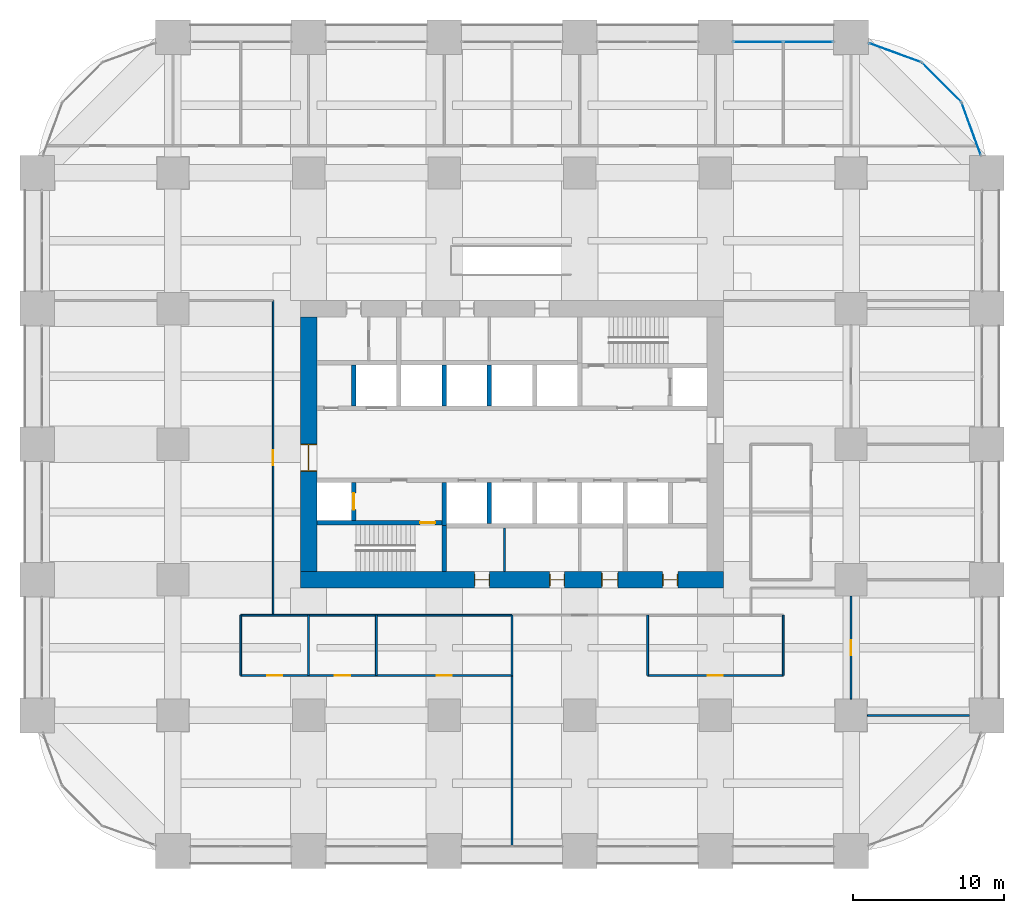
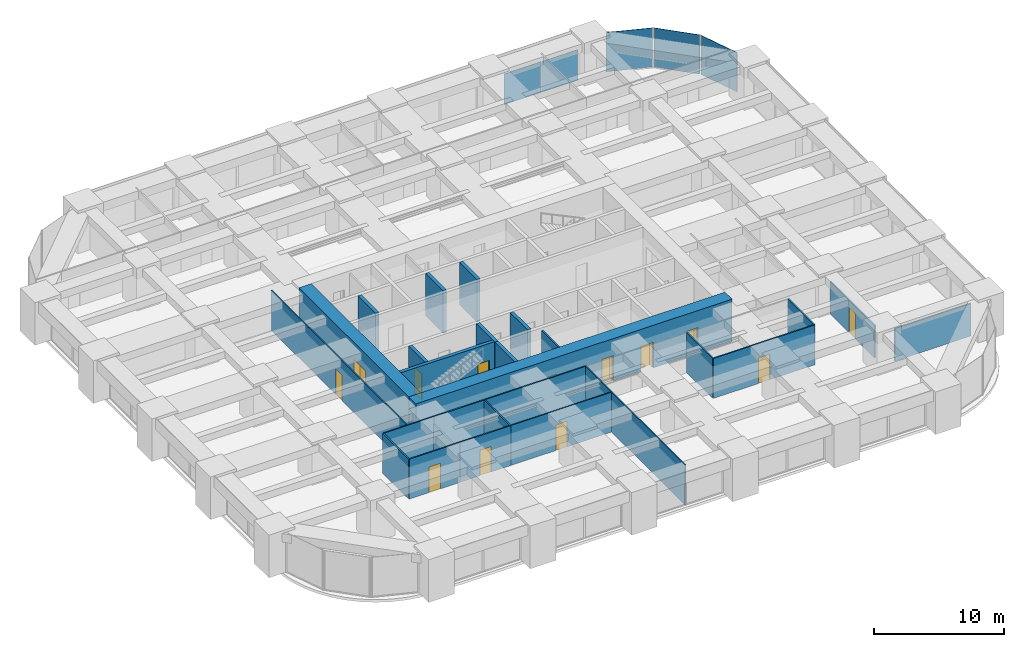
# One storey, part 39 of 44: 28 walls, 13 doors, 5 plates, 13 openings, 4 elements without a shape of their own.
"""IFC4 building model written with IfcOpenShell, lengths in metres."""

import ifcopenshell
import ifcopenshell.guid

model = None  # the IFC model being written
_history = None  # IfcOwnerHistory: only IFC2X3 demands one
_inside = {}  # id of a spatial element -> (the spatial element, [elements in it])
_under = {}  # id of a project, library or spatial element -> (it, [spatial elements below it])
_declared = {}  # id of a project -> (the project, [libraries it declares])
_typed = {}  # id of a type object -> (the type object, [elements of that type])
_made_of = {}  # id of a material, layer set ... -> (it, [elements and type objects made of it])


def new_model(schema):
    """Start an empty IFC model of exactly this schema.

    Asked for "IFC4X3", IfcOpenShell would pick the latest addendum, in which some entities
    have other attributes; the version numbers below select the first issue.
    IFC2X3 requires an IfcOwnerHistory on every rooted entity: one is made here for all.
    """
    global model, _history
    if schema == "IFC4X3":
        model = ifcopenshell.file(schema_version=(4, 3, 0, 0))
    else:
        model = ifcopenshell.file(schema=schema)
    _inside.clear()
    _under.clear()
    _declared.clear()
    _typed.clear()
    _made_of.clear()
    _history = None
    if model.schema == "IFC2X3":
        org = make("IfcOrganization", Name="unknown")
        user = make(
            "IfcPersonAndOrganization",
            ThePerson=make("IfcPerson", FamilyName="unknown"),
            TheOrganization=org,
        )
        app = make(
            "IfcApplication",
            ApplicationDeveloper=org,
            Version="unknown",
            ApplicationFullName="unknown",
            ApplicationIdentifier="unknown",
        )
        _history = make(
            "IfcOwnerHistory",
            OwningUser=user,
            OwningApplication=app,
            ChangeAction="ADDED",
            CreationDate=0,
        )
    return model


def make(cls, **values):
    """One entity of the class cls with the attributes given. An attribute that is None is left unset."""
    return model.create_entity(
        cls, **{name: value for name, value in values.items() if value is not None}
    )


def rooted(cls, **values):
    """An entity with a GlobalId (a new one), such as an element, a storey or a relation."""
    return make(cls, GlobalId=ifcopenshell.guid.new(), OwnerHistory=_history, **values)


def si_unit(unit_type, name, prefix=None):
    """IfcSIUnit, for example si_unit("LENGTHUNIT", "METRE", prefix="MILLI")."""
    return make("IfcSIUnit", UnitType=unit_type, Prefix=prefix, Name=name)


def assignment(units):
    """IfcUnitAssignment: the units of a project."""
    return None if units is None else make("IfcUnitAssignment", Units=units)


def point(xyz):
    """IfcCartesianPoint."""
    return None if xyz is None else make("IfcCartesianPoint", Coordinates=xyz)


def direction(xyz):
    """IfcDirection."""
    return None if xyz is None else make("IfcDirection", DirectionRatios=xyz)


def frame(location, z_axis=None, x_axis=None):
    """IfcAxis2Placement3D, a coordinate frame: its origin and axes. An axis left out is left unset."""
    return make(
        "IfcAxis2Placement3D",
        Location=point(location),
        Axis=direction(z_axis),
        RefDirection=direction(x_axis),
    )


def frame_2d(location, x_axis=None):
    """IfcAxis2Placement2D, a coordinate frame in the plane: its origin and x axis."""
    return make(
        "IfcAxis2Placement2D", Location=point(location), RefDirection=direction(x_axis)
    )


def origin():
    """The frame at (0, 0, 0) with its axes left unset."""
    return frame((0.0, 0.0, 0.0))


def origin_2d():
    """The frame at (0, 0) in the plane with its x axis left unset."""
    return frame_2d((0.0, 0.0))


def place(relative_to, where):
    """IfcLocalPlacement: puts the frame where relative to a parent placement (None: the world)."""
    return make(
        "IfcLocalPlacement", PlacementRelTo=relative_to, RelativePlacement=where
    )


def context(
    kind, dimensions, precision=None, world=None, true_north=None, identifier=None
):
    """IfcGeometricRepresentationContext, for example the 3D "Model" context."""
    return make(
        "IfcGeometricRepresentationContext",
        ContextIdentifier=identifier,
        ContextType=kind,
        CoordinateSpaceDimension=dimensions,
        Precision=precision,
        WorldCoordinateSystem=world,
        TrueNorth=true_north,
    )


def subcontext(parent, identifier, kind, view, scale=None):
    """IfcGeometricRepresentationSubContext, for example "Body" below "Model"."""
    return make(
        "IfcGeometricRepresentationSubContext",
        ContextIdentifier=identifier,
        ContextType=kind,
        ParentContext=parent,
        TargetScale=scale,
        TargetView=view,
    )


def project(units=None, contexts=None):
    """IfcProject with its units and contexts."""
    return rooted(
        "IfcProject",
        Name="project",
        RepresentationContexts=contexts,
        UnitsInContext=assignment(units),
    )


def spatial(cls, under=None, at=None, **own):
    """A site, building, storey or space (cls), placed at a placement, below another one or the project."""
    s = rooted(cls, ObjectPlacement=at, **own)
    if under is not None:
        _under.setdefault(under.id(), (under, []))[1].append(s)
    return s


def profile(cls, at=None, kind="AREA", **sizes):
    """A parametric profile (cls). Its sizes go by their IFC names, for example OverallWidth=200.0."""
    return make(cls, ProfileType=kind, Position=at, **sizes)


def rectangle(**sizes):
    """IfcRectangleProfileDef."""
    return profile("IfcRectangleProfileDef", **sizes)


def extrude(swept, where, along, depth):
    """IfcExtrudedAreaSolid: the profile swept, set in the frame where, extruded along a direction by depth."""
    return make(
        "IfcExtrudedAreaSolid",
        SweptArea=swept,
        Position=where,
        ExtrudedDirection=direction(along),
        Depth=depth,
    )


def shape(context_of_items, identifier, shape_type, items):
    """IfcShapeRepresentation: the items that make up one representation, for example the "Body"."""
    return make(
        "IfcShapeRepresentation",
        ContextOfItems=context_of_items,
        RepresentationIdentifier=identifier,
        RepresentationType=shape_type,
        Items=items,
    )


def material(Name=None, Category=None):
    """IfcMaterial."""
    return make("IfcMaterial", Name=Name, Category=Category)


def layer(
    of_material, thickness, ventilated=None, Name=None, Category=None, Priority=None
):
    """IfcMaterialLayer: one layer of a wall or slab, of a material (None: an air gap)."""
    return make(
        "IfcMaterialLayer",
        Material=of_material,
        LayerThickness=thickness,
        IsVentilated=ventilated,
        Name=Name,
        Category=Category,
        Priority=Priority,
    )


def layer_set(layers, Name=None):
    """IfcMaterialLayerSet."""
    return make("IfcMaterialLayerSet", MaterialLayers=layers, LayerSetName=Name)


def made_of(thing, what):
    """Note that an element or type object is made of a material, layer set ...; save() writes the relation."""
    if what is not None:
        _made_of.setdefault(what.id(), (what, []))[1].append(thing)
    return thing


def type_object(cls, material=None, **own):
    """A type object (cls), such as IfcWallType, which elements share."""
    return made_of(rooted(cls, **own), material)


def element(
    cls,
    number,
    at=None,
    inside=None,
    cuts=None,
    type_object=None,
    material=None,
    context=None,
    identifier="Body",
    shape_type=None,
    held_by="IfcProductDefinitionShape",
    body=None,
    shapes=None,
    **own,
):
    """One element of the class cls, such as IfcWall. Its Tag is "e" and its number.

    at: its placement. inside: the storey or other place that contains it. cuts: it is an
    opening in that element (IfcRelVoidsElement). A single representation is given by context,
    identifier, shape_type and body (its items); several are given by shapes. held_by: the class
    of the entity that holds the representations. save() writes the other relations.
    """
    e = rooted(cls, Tag="e%d" % number, ObjectPlacement=at, **own)
    if body is not None:
        shapes = [shape(context, identifier, shape_type, body)]
    if shapes is not None:
        e.Representation = make(held_by, Representations=shapes)
    if inside is not None:
        _inside.setdefault(inside.id(), (inside, []))[1].append(e)
    if cuts is not None:
        rooted(
            "IfcRelVoidsElement", RelatingBuildingElement=cuts, RelatedOpeningElement=e
        )
    if type_object is not None:
        _typed.setdefault(type_object.id(), (type_object, []))[1].append(e)
    return made_of(e, material)


def fill(opening, filler):
    """IfcRelFillsElement: the door or window that sits in an opening."""
    return rooted(
        "IfcRelFillsElement",
        RelatingOpeningElement=opening,
        RelatedBuildingElement=filler,
    )


def aggregate(whole, parts):
    """IfcRelAggregates: a whole, such as a stair, and the parts it consists of."""
    return rooted("IfcRelAggregates", RelatingObject=whole, RelatedObjects=parts)


def save(model, path):
    """Write the relations noted so far, then the file.

    IfcRelAggregates (storeys below a building ...), IfcRelContainedInSpatialStructure (elements
    in a storey), IfcRelDefinesByType, IfcRelAssociatesMaterial and IfcRelDeclares: one each for
    every whole, place, type object, material and project.
    """
    for whole, parts in _under.values():
        aggregate(whole, parts)
    for where, things in _inside.values():
        rooted(
            "IfcRelContainedInSpatialStructure",
            RelatedElements=things,
            RelatingStructure=where,
        )
    for kind, things in _typed.values():
        rooted("IfcRelDefinesByType", RelatedObjects=things, RelatingType=kind)
    for what, things in _made_of.values():
        rooted("IfcRelAssociatesMaterial", RelatedObjects=things, RelatingMaterial=what)
    for by, libraries in _declared.values():
        rooted("IfcRelDeclares", RelatingContext=by, RelatedDefinitions=libraries)
    model.write(path)


model = new_model("IFC4")

# Units and contexts
model_context = context("Model", 3, precision=1e-05, world=origin(), true_north=direction((0.0, 1.0)))
body_context = subcontext(model_context, "Body", "Model", "MODEL_VIEW")
ifc_project = project(units=[si_unit("LENGTHUNIT", "METRE"), si_unit("AREAUNIT", "SQUARE_METRE"), si_unit("VOLUMEUNIT", "CUBIC_METRE"), si_unit("PLANEANGLEUNIT", "RADIAN"), si_unit("MASSUNIT", "GRAM", prefix="KILO")], contexts=[model_context])

# Site, building, storey
site_placement = place(None, origin())
site = spatial("IfcSite", under=ifc_project, at=site_placement, CompositionType="ELEMENT")
building_placement = place(site_placement, origin())
building = spatial("IfcBuilding", under=site, at=building_placement, Name="Zorevar Civic Tower", CompositionType="ELEMENT")
storey_placement = place(building_placement, frame((0.0, 0.0, 63.800048828125)))
storey = spatial("IfcBuildingStorey", under=building, at=storey_placement, Name="L15", CompositionType="ELEMENT", Elevation=63.800048828125)

# Curtain wall, plates
ifc_material_1 = material(Name="Dark grey solar-control glass in black aluminium frame", Category="aluminium")
curtain_wall_type = type_object("IfcCurtainWallType", Name="Curtain wall CW2 low zone", PredefinedType="NOTDEFINED", material=ifc_material_1)
curtain_wall_1_placement = place(storey_placement, origin())
curtain_wall_1 = element("IfcCurtainWall", 1, at=curtain_wall_1_placement, inside=storey, type_object=curtain_wall_type, Name="CW2 L15", PredefinedType="NOTDEFINED")
ifc_material_2 = material(Name="Dark grey solar-control glass", Category="glass")
ifc_layer_1 = layer(ifc_material_2, 0.031982421875)
ifc_layer_set_1 = layer_set([ifc_layer_1], Name="CW2 panel 32")
plate_type = type_object("IfcPlateType", Name="CW2 panel 32", PredefinedType="CURTAIN_PANEL", material=ifc_layer_set_1)
plate_1_placement = place(storey_placement, frame((47.840087890625, 53.699951171875, 0.06005859375), z_axis=(0.0, 0.0, 1.0), x_axis=(1.0, 0.0, 0.0)))
plate_1 = element("IfcPlate", 2, at=plate_1_placement, type_object=plate_type, Name="CW2 panel 1.1", PredefinedType="CURTAIN_PANEL", context=body_context, shape_type="SweptSolid", body=[
    extrude(rectangle(XDim=3.260009765625, YDim=0.031982421875, at=origin_2d()), origin(), (0.0, 0.0, 1.0), 2.889892578125),
])
plate_2_placement = place(storey_placement, frame((51.159912109375, 53.699951171875, 0.06005859375), z_axis=(0.0, 0.0, 1.0), x_axis=(1.0, 0.0, 0.0)))
plate_2 = element("IfcPlate", 3, at=plate_2_placement, type_object=plate_type, Name="CW2 panel 2.1", PredefinedType="CURTAIN_PANEL", context=body_context, shape_type="SweptSolid", body=[
    extrude(rectangle(XDim=3.260009765625, YDim=0.031982421875, at=origin_2d()), origin(), (0.0, 0.0, 1.0), 2.889892578125),
])
aggregate(curtain_wall_1, [plate_1, plate_2])

# Curtain wall, plate
curtain_wall_2_placement = place(storey_placement, origin())
curtain_wall_2 = element("IfcCurtainWall", 4, at=curtain_wall_2_placement, inside=storey, type_object=curtain_wall_type, Name="CW2 L15", PredefinedType="NOTDEFINED")
plate_3_placement = place(storey_placement, frame((61.979248046875, 47.914306640625, 0.06005859375), z_axis=(0.0, 0.0, 1.0), x_axis=(-0.343060400701, 0.939313345732, 0.0)))
plate_3 = element("IfcPlate", 5, at=plate_3_placement, type_object=plate_type, Name="CW2 panel 1.1", PredefinedType="CURTAIN_PANEL", context=body_context, shape_type="SweptSolid", body=[
    extrude(rectangle(XDim=3.636474609375, YDim=0.031982421875, at=origin_2d()), origin(), (0.0, 0.0, 1.0), 3.68994140625),
])
aggregate(curtain_wall_2, [plate_3])

curtain_wall_3_placement = place(storey_placement, origin())
curtain_wall_3 = element("IfcCurtainWall", 6, at=curtain_wall_3_placement, inside=storey, type_object=curtain_wall_type, Name="CW2 L15", PredefinedType="NOTDEFINED")
plate_4_placement = place(storey_placement, frame((60.0068359375, 51.0068359375, 0.06005859375), z_axis=(0.0, 0.0, 1.0), x_axis=(-0.707106781187, 0.707106781187, 0.0)))
plate_4 = element("IfcPlate", 7, at=plate_4_placement, type_object=plate_type, Name="CW2 panel 1.1", PredefinedType="CURTAIN_PANEL", context=body_context, shape_type="SweptSolid", body=[
    extrude(rectangle(XDim=3.636474609375, YDim=0.031982421875, at=origin_2d()), origin(), (0.0, 0.0, 1.0), 3.68994140625),
])
aggregate(curtain_wall_3, [plate_4])

curtain_wall_4_placement = place(storey_placement, origin())
curtain_wall_4 = element("IfcCurtainWall", 8, at=curtain_wall_4_placement, inside=storey, type_object=curtain_wall_type, Name="CW2 L15", PredefinedType="NOTDEFINED")
plate_5_placement = place(storey_placement, frame((56.914306640625, 52.979248046875, 0.06005859375), z_axis=(0.0, 0.0, 1.0), x_axis=(-0.939313345732, 0.343060400701, 0.0)))
plate_5 = element("IfcPlate", 9, at=plate_5_placement, type_object=plate_type, Name="CW2 panel 1.1", PredefinedType="CURTAIN_PANEL", context=body_context, shape_type="SweptSolid", body=[
    extrude(rectangle(XDim=3.636474609375, YDim=0.031982421875, at=origin_2d()), origin(), (0.0, 0.0, 1.0), 3.68994140625),
])
aggregate(curtain_wall_4, [plate_5])

# Wall, openings, doors
ifc_material_3 = material(Name="Concrete C50/60", Category="concrete")
ifc_layer_2 = layer(ifc_material_3, 1.10009765625)
ifc_layer_set_2 = layer_set([ifc_layer_2], Name="Core wall 1100")
wall_type_1 = type_object("IfcWallType", Name="Core wall 1100", PredefinedType="SHEAR", material=ifc_layer_set_2)
wall_1_placement = place(storey_placement, frame((17.449951171875, 18.0, 0.0), z_axis=(0.0, 0.0, 1.0), x_axis=(1.0, 0.0, 0.0)))
wall_1 = element("IfcWall", 10, at=wall_1_placement, inside=storey, type_object=wall_type_1, Name="Core wall S L15", PredefinedType="SHEAR", context=body_context, shape_type="SweptSolid", body=[
    extrude(rectangle(XDim=28.10009765625, YDim=1.10009765625, at=frame_2d((14.050048828125, 0.0))), origin(), (0.0, 0.0, 1.0), 4.0),
])
opening_1_placement = place(wall_1_placement, frame((11.550048828125, 0.0, 0.0)))
opening_1 = element("IfcOpeningElement", 11, at=opening_1_placement, cuts=wall_1, Name="Opening L15.03", PredefinedType="OPENING", context=body_context, shape_type="SweptSolid", body=[
    extrude(rectangle(XDim=1.0, YDim=2.39990234375, at=frame_2d((0.5, 1.199951171875))), frame((0.0, 0.56005859375, 0.0), z_axis=(0.0, -1.0, 0.0), x_axis=(1.0, 0.0, 0.0)), (0.0, 0.0, 1.0), 1.1201171875),
])
opening_2_placement = place(wall_1_placement, frame((16.550048828125, 0.0, 0.0)))
opening_2 = element("IfcOpeningElement", 12, at=opening_2_placement, cuts=wall_1, Name="Opening L15.04", PredefinedType="OPENING", context=body_context, shape_type="SweptSolid", body=[
    extrude(rectangle(XDim=1.0, YDim=2.39990234375, at=frame_2d((0.5, 1.199951171875))), frame((0.0, 0.56005859375, 0.0), z_axis=(0.0, -1.0, 0.0), x_axis=(1.0, 0.0, 0.0)), (0.0, 0.0, 1.0), 1.1201171875),
])
opening_3_placement = place(wall_1_placement, frame((20.0, 0.0, 0.0)))
opening_3 = element("IfcOpeningElement", 13, at=opening_3_placement, cuts=wall_1, Name="Opening L15.05", PredefinedType="OPENING", context=body_context, shape_type="SweptSolid", body=[
    extrude(rectangle(XDim=1.10009765625, YDim=2.39990234375, at=frame_2d((0.550048828125, 1.199951171875))), frame((0.0, 0.56005859375, 0.0), z_axis=(0.0, -1.0, 0.0), x_axis=(1.0, 0.0, 0.0)), (0.0, 0.0, 1.0), 1.1201171875),
])
opening_4_placement = place(wall_1_placement, frame((24.050048828125, 0.0, 0.0)))
opening_4 = element("IfcOpeningElement", 14, at=opening_4_placement, cuts=wall_1, Name="Opening L15.06", PredefinedType="OPENING", context=body_context, shape_type="SweptSolid", body=[
    extrude(rectangle(XDim=1.0, YDim=2.39990234375, at=frame_2d((0.5, 1.199951171875))), frame((0.0, 0.56005859375, 0.0), z_axis=(0.0, -1.0, 0.0), x_axis=(1.0, 0.0, 0.0)), (0.0, 0.0, 1.0), 1.1201171875),
])
ifc_material_4 = material(Name="Timber door set", Category="wood")
door_type_1 = type_object("IfcDoorType", Name="Door D1 1000x2400", OperationType="SINGLE_SWING_LEFT", PredefinedType="DOOR", material=ifc_material_4)
door_1_placement = place(opening_1_placement, origin())
door_1 = element("IfcDoor", 15, at=door_1_placement, inside=storey, type_object=door_type_1, Name="Door L15 02", OperationType="SINGLE_SWING_RIGHT", OverallHeight=2.39990234375, OverallWidth=1.0, PredefinedType="DOOR", context=body_context, shape_type="SweptSolid", body=[
    extrude(rectangle(XDim=1.0, YDim=2.39990234375, at=frame_2d((0.5, 1.199951171875))), frame((0.0, 0.02490234375, 0.0), z_axis=(0.0, -1.0, 0.0), x_axis=(1.0, 0.0, 0.0)), (0.0, 0.0, 1.0), 0.050048828125),
    extrude(rectangle(XDim=0.04, YDim=2.39990234375, at=frame_2d((0.02001953125, 1.199951171875))), frame((0.0, 0.39990234375, 0.0), z_axis=(0.0, -1.0, 0.0), x_axis=(1.0, 0.0, 0.0)), (0.0, 0.0, 1.0), 0.800048828125),
    extrude(rectangle(XDim=0.04, YDim=2.39990234375, at=frame_2d((0.97998046875, 1.199951171875))), frame((0.0, 0.39990234375, 0.0), z_axis=(0.0, -1.0, 0.0), x_axis=(1.0, 0.0, 0.0)), (0.0, 0.0, 1.0), 0.800048828125),
    extrude(rectangle(XDim=1.0, YDim=0.04, at=frame_2d((0.5, 2.3798828125))), frame((0.0, 0.39990234375, 0.0), z_axis=(0.0, -1.0, 0.0), x_axis=(1.0, 0.0, 0.0)), (0.0, 0.0, 1.0), 0.800048828125),
])
fill(opening_1, door_1)
door_2_placement = place(opening_2_placement, origin())
door_2 = element("IfcDoor", 16, at=door_2_placement, inside=storey, type_object=door_type_1, Name="Door L15 03", OperationType="SINGLE_SWING_LEFT", OverallHeight=2.39990234375, OverallWidth=1.0, PredefinedType="DOOR", context=body_context, shape_type="SweptSolid", body=[
    extrude(rectangle(XDim=1.0, YDim=2.39990234375, at=frame_2d((0.5, 1.199951171875))), frame((0.0, 0.02490234375, 0.0), z_axis=(0.0, -1.0, 0.0), x_axis=(1.0, 0.0, 0.0)), (0.0, 0.0, 1.0), 0.050048828125),
    extrude(rectangle(XDim=0.04, YDim=2.39990234375, at=frame_2d((0.02001953125, 1.199951171875))), frame((0.0, 0.39990234375, 0.0), z_axis=(0.0, -1.0, 0.0), x_axis=(1.0, 0.0, 0.0)), (0.0, 0.0, 1.0), 0.800048828125),
    extrude(rectangle(XDim=0.04, YDim=2.39990234375, at=frame_2d((0.97998046875, 1.199951171875))), frame((0.0, 0.39990234375, 0.0), z_axis=(0.0, -1.0, 0.0), x_axis=(1.0, 0.0, 0.0)), (0.0, 0.0, 1.0), 0.800048828125),
    extrude(rectangle(XDim=1.0, YDim=0.04, at=frame_2d((0.5, 2.3798828125))), frame((0.0, 0.39990234375, 0.0), z_axis=(0.0, -1.0, 0.0), x_axis=(1.0, 0.0, 0.0)), (0.0, 0.0, 1.0), 0.800048828125),
])
fill(opening_2, door_2)
door_3_placement = place(opening_4_placement, origin())
door_3 = element("IfcDoor", 17, at=door_3_placement, inside=storey, type_object=door_type_1, Name="Door L15 05", OperationType="SINGLE_SWING_LEFT", OverallHeight=2.39990234375, OverallWidth=1.0, PredefinedType="DOOR", context=body_context, shape_type="SweptSolid", body=[
    extrude(rectangle(XDim=1.0, YDim=2.39990234375, at=frame_2d((0.5, 1.199951171875))), frame((0.0, 0.02490234375, 0.0), z_axis=(0.0, -1.0, 0.0), x_axis=(1.0, 0.0, 0.0)), (0.0, 0.0, 1.0), 0.050048828125),
    extrude(rectangle(XDim=0.04, YDim=2.39990234375, at=frame_2d((0.02001953125, 1.199951171875))), frame((0.0, 0.39990234375, 0.0), z_axis=(0.0, -1.0, 0.0), x_axis=(1.0, 0.0, 0.0)), (0.0, 0.0, 1.0), 0.800048828125),
    extrude(rectangle(XDim=0.04, YDim=2.39990234375, at=frame_2d((0.97998046875, 1.199951171875))), frame((0.0, 0.39990234375, 0.0), z_axis=(0.0, -1.0, 0.0), x_axis=(1.0, 0.0, 0.0)), (0.0, 0.0, 1.0), 0.800048828125),
    extrude(rectangle(XDim=1.0, YDim=0.04, at=frame_2d((0.5, 2.3798828125))), frame((0.0, 0.39990234375, 0.0), z_axis=(0.0, -1.0, 0.0), x_axis=(1.0, 0.0, 0.0)), (0.0, 0.0, 1.0), 0.800048828125),
])
fill(opening_4, door_3)
ifc_material_5 = material(Name="Timber door set", Category="wood")
door_type_2 = type_object("IfcDoorType", Name="Door D5 1100x2400", OperationType="SINGLE_SWING_LEFT", PredefinedType="DOOR", material=ifc_material_5)
door_4_placement = place(opening_3_placement, origin())
door_4 = element("IfcDoor", 18, at=door_4_placement, inside=storey, type_object=door_type_2, Name="Door L15 04", OperationType="SINGLE_SWING_LEFT", OverallHeight=2.39990234375, OverallWidth=1.10009765625, PredefinedType="DOOR", context=body_context, shape_type="SweptSolid", body=[
    extrude(rectangle(XDim=1.10009765625, YDim=2.39990234375, at=frame_2d((0.550048828125, 1.199951171875))), frame((0.0, 0.02490234375, 0.0), z_axis=(0.0, -1.0, 0.0), x_axis=(1.0, 0.0, 0.0)), (0.0, 0.0, 1.0), 0.050048828125),
    extrude(rectangle(XDim=0.04, YDim=2.39990234375, at=frame_2d((0.02001953125, 1.199951171875))), frame((0.0, 0.43994140625, 0.0), z_axis=(0.0, -1.0, 0.0), x_axis=(1.0, 0.0, 0.0)), (0.0, 0.0, 1.0), 0.880126953125),
    extrude(rectangle(XDim=0.04, YDim=2.39990234375, at=frame_2d((1.080078125, 1.199951171875))), frame((0.0, 0.43994140625, 0.0), z_axis=(0.0, -1.0, 0.0), x_axis=(1.0, 0.0, 0.0)), (0.0, 0.0, 1.0), 0.880126953125),
    extrude(rectangle(XDim=1.10009765625, YDim=0.04, at=frame_2d((0.550048828125, 2.3798828125))), frame((0.0, 0.43994140625, 0.0), z_axis=(0.0, -1.0, 0.0), x_axis=(1.0, 0.0, 0.0)), (0.0, 0.0, 1.0), 0.880126953125),
])
fill(opening_3, door_4)

# Wall, opening, door
wall_2_placement = place(storey_placement, frame((18.0, 35.449951171875, 0.0), z_axis=(0.0, 0.0, 1.0), x_axis=(0.0, -1.0, 0.0)))
wall_2 = element("IfcWall", 19, at=wall_2_placement, inside=storey, type_object=wall_type_1, Name="Core wall W L15", PredefinedType="SHEAR", context=body_context, shape_type="SweptSolid", body=[
    extrude(rectangle(XDim=16.89990234375, YDim=1.10009765625, at=frame_2d((8.449951171875, 0.0))), origin(), (0.0, 0.0, 1.0), 4.0),
])
opening_5_placement = place(wall_2_placement, frame((8.449951171875, 0.0, 0.0)))
opening_5 = element("IfcOpeningElement", 20, at=opening_5_placement, cuts=wall_2, Name="Opening L15.01", PredefinedType="OPENING", context=body_context, shape_type="SweptSolid", body=[
    extrude(rectangle(XDim=1.800048828125, YDim=2.39990234375, at=frame_2d((0.89990234375, 1.199951171875))), frame((0.0, 0.56005859375, 0.0), z_axis=(0.0, -1.0, 0.0), x_axis=(1.0, 0.0, 0.0)), (0.0, 0.0, 1.0), 1.1201171875),
])
ifc_material_6 = material(Name="Steel door set", Category="steel")
door_type_3 = type_object("IfcDoorType", Name="Fire door FD2 1800x2400", OperationType="DOUBLE_DOOR_DOUBLE_SWING", PredefinedType="DOOR", material=ifc_material_6)
door_5_placement = place(opening_5_placement, origin())
door_5 = element("IfcDoor", 21, at=door_5_placement, inside=storey, type_object=door_type_3, Name="Door L15 00", OperationType="DOUBLE_DOOR_DOUBLE_SWING", OverallHeight=2.39990234375, OverallWidth=1.800048828125, PredefinedType="DOOR", context=body_context, shape_type="SweptSolid", body=[
    extrude(rectangle(XDim=1.800048828125, YDim=2.39990234375, at=frame_2d((0.89990234375, 1.199951171875))), frame((0.0, 0.030029296875, 0.0), z_axis=(0.0, -1.0, 0.0), x_axis=(1.0, 0.0, 0.0)), (0.0, 0.0, 1.0), 0.06005859375),
    extrude(rectangle(XDim=0.04, YDim=2.39990234375, at=frame_2d((0.02001953125, 1.199951171875))), frame((0.0, 0.5498046875, 0.0), z_axis=(0.0, -1.0, 0.0), x_axis=(1.0, 0.0, 0.0)), (0.0, 0.0, 1.0), 1.099609375),
    extrude(rectangle(XDim=0.04, YDim=2.39990234375, at=frame_2d((1.780029296875, 1.199951171875))), frame((0.0, 0.5498046875, 0.0), z_axis=(0.0, -1.0, 0.0), x_axis=(1.0, 0.0, 0.0)), (0.0, 0.0, 1.0), 1.099609375),
    extrude(rectangle(XDim=1.800048828125, YDim=0.04, at=frame_2d((0.89990234375, 2.3798828125))), frame((0.0, 0.5498046875, 0.0), z_axis=(0.0, -1.0, 0.0), x_axis=(1.0, 0.0, 0.0)), (0.0, 0.0, 1.0), 1.099609375),
])
fill(opening_5, door_5)

ifc_material_7 = material(Name="Laminated glass in black aluminium frame", Category="aluminium")
ifc_layer_3 = layer(ifc_material_7, 0.10009765625)
ifc_layer_set_3 = layer_set([ifc_layer_3], Name="Glazed partition 100")
wall_type_2 = type_object("IfcWallType", Name="Glazed partition 100", PredefinedType="PARTITIONING", material=ifc_layer_set_3)
wall_3_placement = place(storey_placement, frame((22.5, 11.64990234375, 0.0), z_axis=(0.0, 0.0, 1.0), x_axis=(1.0, 0.0, 0.0)))
wall_3 = element("IfcWall", 22, at=wall_3_placement, inside=storey, type_object=wall_type_2, Name="Glazed partition 100 L15", PredefinedType="PARTITIONING", context=body_context, shape_type="SweptSolid", body=[
    extrude(rectangle(XDim=9.0, YDim=0.10009765625, at=frame_2d((4.5, 0.0))), origin(), (0.0, 0.0, 1.0), 3.75),
])
opening_6_placement = place(wall_3_placement, frame((4.0, 0.0, 0.0)))
opening_6 = element("IfcOpeningElement", 23, at=opening_6_placement, cuts=wall_3, Name="Opening L15.20", PredefinedType="OPENING", context=body_context, shape_type="SweptSolid", body=[
    extrude(rectangle(XDim=1.0, YDim=2.39990234375, at=frame_2d((0.5, 1.199951171875))), frame((0.0, 0.06005859375, 0.0), z_axis=(0.0, -1.0, 0.0), x_axis=(1.0, 0.0, 0.0)), (0.0, 0.0, 1.0), 0.1201171875),
])
ifc_material_8 = material(Name="Timber door set", Category="wood")
door_type_4 = type_object("IfcDoorType", Name="Glazed door GD1 1000x2400", OperationType="SINGLE_SWING_LEFT", PredefinedType="DOOR", material=ifc_material_8)
door_6_placement = place(opening_6_placement, origin())
door_6 = element("IfcDoor", 24, at=door_6_placement, inside=storey, type_object=door_type_4, Name="Door L15 D1", OperationType="SINGLE_SWING_RIGHT", OverallHeight=2.39990234375, OverallWidth=1.0, PredefinedType="DOOR", context=body_context, shape_type="SweptSolid", body=[
    extrude(rectangle(XDim=1.0, YDim=2.39990234375, at=frame_2d((0.5, 1.199951171875))), frame((0.0, 0.02001953125, 0.0), z_axis=(0.0, -1.0, 0.0), x_axis=(1.0, 0.0, 0.0)), (0.0, 0.0, 1.0), 0.0400390625),
])
fill(opening_6, door_6)

wall_4_placement = place(storey_placement, frame((15.64990234375, 15.64990234375, 0.0), z_axis=(0.0, 0.0, 1.0), x_axis=(0.0, 1.0, 0.0)))
wall_4 = element("IfcWall", 25, at=wall_4_placement, inside=storey, type_object=wall_type_2, Name="Glazed partition 100 L15", PredefinedType="PARTITIONING", context=body_context, shape_type="SweptSolid", body=[
    extrude(rectangle(XDim=20.900146484375, YDim=0.10009765625, at=frame_2d((10.4501953125, 0.0))), origin(), (0.0, 0.0, 1.0), 3.75),
])
opening_7_placement = place(wall_4_placement, frame((9.949951171875, 0.0, 0.0)))
opening_7 = element("IfcOpeningElement", 26, at=opening_7_placement, cuts=wall_4, Name="Opening L15.32", PredefinedType="OPENING", context=body_context, shape_type="SweptSolid", body=[
    extrude(rectangle(XDim=1.0, YDim=2.39990234375, at=frame_2d((0.5, 1.199951171875))), frame((0.0, 0.06005859375, 0.0), z_axis=(0.0, -1.0, 0.0), x_axis=(1.0, 0.0, 0.0)), (0.0, 0.0, 1.0), 0.1201171875),
])
door_7_placement = place(opening_7_placement, origin())
door_7 = element("IfcDoor", 27, at=door_7_placement, inside=storey, type_object=door_type_4, Name="Door L15 D1", OperationType="SINGLE_SWING_RIGHT", OverallHeight=2.39990234375, OverallWidth=1.0, PredefinedType="DOOR", context=body_context, shape_type="SweptSolid", body=[
    extrude(rectangle(XDim=1.0, YDim=2.39990234375, at=frame_2d((0.5, 1.199951171875))), frame((0.0, 0.02001953125, 0.0), z_axis=(0.0, -1.0, 0.0), x_axis=(1.0, 0.0, 0.0)), (0.0, 0.0, 1.0), 0.0400390625),
])
fill(opening_7, door_7)

# Wall
wall_5_placement = place(storey_placement, frame((31.5, 0.31005859375, 0.0), z_axis=(0.0, 0.0, 1.0), x_axis=(0.0, 1.0, 0.0)))
element("IfcWall", 28, at=wall_5_placement, inside=storey, type_object=wall_type_2, Name="Glazed partition 100 L15", PredefinedType="PARTITIONING", context=body_context, shape_type="SweptSolid", body=[
    extrude(rectangle(XDim=11.33984375, YDim=0.10009765625, at=frame_2d((5.669921875, 0.0))), origin(), (0.0, 0.0, 1.0), 3.75),
])

# Wall, opening, door
ifc_material_9 = material(Name="Concrete C40/50", Category="concrete")
ifc_layer_4 = layer(ifc_material_9, 0.300048828125)
ifc_layer_set_4 = layer_set([ifc_layer_4], Name="Inner core wall 300")
wall_type_3 = type_object("IfcWallType", Name="Inner core wall 300", PredefinedType="SHEAR", material=ifc_layer_set_4)
wall_6_placement = place(storey_placement, frame((18.550048828125, 21.800048828125, 0.0), z_axis=(0.0, 0.0, 1.0), x_axis=(1.0, 0.0, 0.0)))
wall_6 = element("IfcWall", 29, at=wall_6_placement, inside=storey, type_object=wall_type_3, Name="Inner core wall S00 L15", PredefinedType="SHEAR", context=body_context, shape_type="SweptSolid", body=[
    extrude(rectangle(XDim=8.300048828125, YDim=0.300048828125, at=frame_2d((4.14990234375, 0.0))), origin(), (0.0, 0.0, 1.0), 4.0),
])
opening_8_placement = place(wall_6_placement, frame((6.85009765625, 0.0, 0.0)))
opening_8 = element("IfcOpeningElement", 30, at=opening_8_placement, cuts=wall_6, Name="Opening L15.11", PredefinedType="OPENING", context=body_context, shape_type="SweptSolid", body=[
    extrude(rectangle(XDim=1.0, YDim=2.39990234375, at=frame_2d((0.5, 1.199951171875))), frame((0.0, 0.159912109375, 0.0), z_axis=(0.0, -1.0, 0.0), x_axis=(1.0, 0.0, 0.0)), (0.0, 0.0, 1.0), 0.320068359375),
])
ifc_material_10 = material(Name="Steel door set", Category="steel")
door_type_5 = type_object("IfcDoorType", Name="Fire door FD1 1000x2400", OperationType="SINGLE_SWING_LEFT", PredefinedType="DOOR", material=ifc_material_10)
door_8_placement = place(opening_8_placement, origin())
door_8 = element("IfcDoor", 31, at=door_8_placement, inside=storey, type_object=door_type_5, Name="Door L15 10", OperationType="SINGLE_SWING_RIGHT", OverallHeight=2.39990234375, OverallWidth=1.0, PredefinedType="DOOR", context=body_context, shape_type="SweptSolid", body=[
    extrude(rectangle(XDim=1.0, YDim=2.39990234375, at=frame_2d((0.5, 1.199951171875))), frame((0.0, 0.030029296875, 0.0), z_axis=(0.0, -1.0, 0.0), x_axis=(1.0, 0.0, 0.0)), (0.0, 0.0, 1.0), 0.06005859375),
])
fill(opening_8, door_8)

# Wall
wall_7_placement = place(storey_placement, frame((27.0, 18.550048828125, 0.0), z_axis=(0.0, 0.0, 1.0), x_axis=(0.0, 1.0, 0.0)))
element("IfcWall", 32, at=wall_7_placement, inside=storey, type_object=wall_type_3, Name="Inner core wall S01 L15", PredefinedType="SHEAR", context=body_context, shape_type="SweptSolid", body=[
    extrude(rectangle(XDim=3.050048828125, YDim=0.300048828125, at=frame_2d((1.52490234375, 0.0))), origin(), (0.0, 0.0, 1.0), 4.0),
])

# Wall, opening, door
wall_8_placement = place(storey_placement, frame((21.0, 21.949951171875, 0.0), z_axis=(0.0, 0.0, 1.0), x_axis=(0.0, 1.0, 0.0)))
wall_8 = element("IfcWall", 33, at=wall_8_placement, inside=storey, type_object=wall_type_3, Name="Inner core wall S02 L15", PredefinedType="SHEAR", context=body_context, shape_type="SweptSolid", body=[
    extrude(rectangle(XDim=2.5, YDim=0.300048828125, at=frame_2d((1.25, 0.0))), origin(), (0.0, 0.0, 1.0), 4.0),
])
opening_9_placement = place(wall_8_placement, frame((0.699951171875, 0.0, 0.0)))
opening_9 = element("IfcOpeningElement", 34, at=opening_9_placement, cuts=wall_8, Name="Opening L15.FL1", PredefinedType="OPENING", context=body_context, shape_type="SweptSolid", body=[
    extrude(rectangle(XDim=1.10009765625, YDim=2.39990234375, at=frame_2d((0.550048828125, 1.199951171875))), frame((0.0, 0.159912109375, 0.0), z_axis=(0.0, -1.0, 0.0), x_axis=(1.0, 0.0, 0.0)), (0.0, 0.0, 1.0), 0.320068359375),
])
ifc_material_11 = material(Name="Steel door set", Category="steel")
door_type_6 = type_object("IfcDoorType", Name="Firefighting lift landing door LD3 1100x2400", OperationType="DOUBLE_DOOR_SLIDING", PredefinedType="DOOR", material=ifc_material_11)
door_9_placement = place(opening_9_placement, origin())
door_9 = element("IfcDoor", 35, at=door_9_placement, inside=storey, type_object=door_type_6, Name="Landing door FL1 L15", OperationType="DOUBLE_DOOR_SLIDING", OverallHeight=2.39990234375, OverallWidth=1.10009765625, PredefinedType="DOOR", context=body_context, shape_type="SweptSolid", body=[
    extrude(rectangle(XDim=1.10009765625, YDim=2.39990234375, at=frame_2d((0.550048828125, 1.199951171875))), frame((0.0, 0.030029296875, 0.0), z_axis=(0.0, -1.0, 0.0), x_axis=(1.0, 0.0, 0.0)), (0.0, 0.0, 1.0), 0.06005859375),
])
fill(opening_9, door_9)

# Walls
for number, where, z_axis, x_axis, name in (
    (36, (30.0, 21.75, 0.0), (0.0, 0.0, 1.0), (0.0, 1.0, 0.0), "Inner core wall S05 L15"),
    (37, (30.0, 29.550048828125, 0.0), (0.0, 0.0, 1.0), (0.0, 1.0, 0.0), "Inner core wall N06 L15"),
    (38, (27.0, 29.550048828125, 0.0), (0.0, 0.0, 1.0), (0.0, 1.0, 0.0), "Inner core wall N07 L15"),
    (39, (21.0, 29.550048828125, 0.0), (0.0, 0.0, 1.0), (0.0, 1.0, 0.0), "Inner core wall N09 L15"),
):
    element("IfcWall", number, at=place(storey_placement, frame(where, z_axis=z_axis, x_axis=x_axis)), inside=storey, type_object=wall_type_3, Name=name, PredefinedType="SHEAR", context=body_context, shape_type="SweptSolid", body=[
        extrude(rectangle(XDim=2.699951171875, YDim=0.300048828125, at=frame_2d((1.35009765625, 0.0))), origin(), (0.0, 0.0, 1.0), 4.0),
    ])
wall_9_placement = place(storey_placement, frame((27.0, 21.60009765625, 0.0), z_axis=(0.0, 0.0, 1.0), x_axis=(0.0, 1.0, 0.0)))
element("IfcWall", 40, at=wall_9_placement, inside=storey, type_object=wall_type_3, Name="Inner core wall S10 L15", PredefinedType="SHEAR", context=body_context, shape_type="SweptSolid", body=[
    extrude(rectangle(XDim=2.849853515625, YDim=0.300048828125, at=frame_2d((1.4248046875, 0.0))), origin(), (0.0, 0.0, 1.0), 4.0),
])
ifc_material_12 = material(Name="Gypsum board on steel studs", Category="steel")
ifc_layer_5 = layer(ifc_material_12, 0.1201171875)
ifc_layer_set_5 = layer_set([ifc_layer_5], Name="Partition 120")
wall_type_4 = type_object("IfcWallType", Name="Partition 120", PredefinedType="PARTITIONING", material=ifc_layer_set_5)
wall_10_placement = place(storey_placement, frame((55.074951171875, 9.0, 0.0), z_axis=(0.0, 0.0, 1.0), x_axis=(1.0, 0.0, 0.0)))
element("IfcWall", 41, at=wall_10_placement, inside=storey, type_object=wall_type_4, Name="Partition 120 L15", PredefinedType="PARTITIONING", context=body_context, shape_type="SweptSolid", body=[
    extrude(rectangle(XDim=6.775146484375, YDim=0.1201171875, at=frame_2d((3.3876953125, 0.0))), origin(), (0.0, 0.0, 1.0), 3.050048828125),
])

# Wall, opening, door
wall_11_placement = place(storey_placement, frame((13.5, 11.64990234375, 0.0), z_axis=(0.0, 0.0, 1.0), x_axis=(1.0, 0.0, 0.0)))
wall_11 = element("IfcWall", 42, at=wall_11_placement, inside=storey, type_object=wall_type_4, Name="Partition 120 L15", PredefinedType="PARTITIONING", context=body_context, shape_type="SweptSolid", body=[
    extrude(rectangle(XDim=4.5, YDim=0.1201171875, at=frame_2d((2.25, 0.0))), origin(), (0.0, 0.0, 1.0), 3.75),
])
opening_10_placement = place(wall_11_placement, frame((1.75, 0.0, 0.0)))
opening_10 = element("IfcOpeningElement", 43, at=opening_10_placement, cuts=wall_11, Name="Opening L15.17", PredefinedType="OPENING", context=body_context, shape_type="SweptSolid", body=[
    extrude(rectangle(XDim=1.0, YDim=2.39990234375, at=frame_2d((0.5, 1.199951171875))), frame((0.0, 0.070068359375, 0.0), z_axis=(0.0, -1.0, 0.0), x_axis=(1.0, 0.0, 0.0)), (0.0, 0.0, 1.0), 0.14013671875),
])
door_10_placement = place(opening_10_placement, origin())
door_10 = element("IfcDoor", 44, at=door_10_placement, inside=storey, type_object=door_type_1, Name="Door L15 D1", OperationType="SINGLE_SWING_LEFT", OverallHeight=2.39990234375, OverallWidth=1.0, PredefinedType="DOOR", context=body_context, shape_type="SweptSolid", body=[
    extrude(rectangle(XDim=1.0, YDim=2.39990234375, at=frame_2d((0.5, 1.199951171875))), frame((0.0, 0.02490234375, 0.0), z_axis=(0.0, -1.0, 0.0), x_axis=(1.0, 0.0, 0.0)), (0.0, 0.0, 1.0), 0.050048828125),
])
fill(opening_10, door_10)

wall_12_placement = place(storey_placement, frame((18.0, 11.64990234375, 0.0), z_axis=(0.0, 0.0, 1.0), x_axis=(1.0, 0.0, 0.0)))
wall_12 = element("IfcWall", 45, at=wall_12_placement, inside=storey, type_object=wall_type_4, Name="Partition 120 L15", PredefinedType="PARTITIONING", context=body_context, shape_type="SweptSolid", body=[
    extrude(rectangle(XDim=4.5, YDim=0.1201171875, at=frame_2d((2.25, 0.0))), origin(), (0.0, 0.0, 1.0), 3.75),
])
opening_11_placement = place(wall_12_placement, frame((1.75, 0.0, 0.0)))
opening_11 = element("IfcOpeningElement", 46, at=opening_11_placement, cuts=wall_12, Name="Opening L15.18", PredefinedType="OPENING", context=body_context, shape_type="SweptSolid", body=[
    extrude(rectangle(XDim=1.0, YDim=2.39990234375, at=frame_2d((0.5, 1.199951171875))), frame((0.0, 0.070068359375, 0.0), z_axis=(0.0, -1.0, 0.0), x_axis=(1.0, 0.0, 0.0)), (0.0, 0.0, 1.0), 0.14013671875),
])
door_11_placement = place(opening_11_placement, origin())
door_11 = element("IfcDoor", 47, at=door_11_placement, inside=storey, type_object=door_type_1, Name="Door L15 D1", OperationType="SINGLE_SWING_RIGHT", OverallHeight=2.39990234375, OverallWidth=1.0, PredefinedType="DOOR", context=body_context, shape_type="SweptSolid", body=[
    extrude(rectangle(XDim=1.0, YDim=2.39990234375, at=frame_2d((0.5, 1.199951171875))), frame((0.0, 0.02490234375, 0.0), z_axis=(0.0, -1.0, 0.0), x_axis=(1.0, 0.0, 0.0)), (0.0, 0.0, 1.0), 0.050048828125),
])
fill(opening_11, door_11)

wall_13_placement = place(storey_placement, frame((40.5, 11.64990234375, 0.0), z_axis=(0.0, 0.0, 1.0), x_axis=(1.0, 0.0, 0.0)))
wall_13 = element("IfcWall", 48, at=wall_13_placement, inside=storey, type_object=wall_type_4, Name="Partition 120 L15", PredefinedType="PARTITIONING", context=body_context, shape_type="SweptSolid", body=[
    extrude(rectangle(XDim=9.0, YDim=0.1201171875, at=frame_2d((4.5, 0.0))), origin(), (0.0, 0.0, 1.0), 3.75),
])
opening_12_placement = place(wall_13_placement, frame((4.0, 0.0, 0.0)))
opening_12 = element("IfcOpeningElement", 49, at=opening_12_placement, cuts=wall_13, Name="Opening L15.19", PredefinedType="OPENING", context=body_context, shape_type="SweptSolid", body=[
    extrude(rectangle(XDim=1.0, YDim=2.39990234375, at=frame_2d((0.5, 1.199951171875))), frame((0.0, 0.070068359375, 0.0), z_axis=(0.0, -1.0, 0.0), x_axis=(1.0, 0.0, 0.0)), (0.0, 0.0, 1.0), 0.14013671875),
])
door_12_placement = place(opening_12_placement, origin())
door_12 = element("IfcDoor", 50, at=door_12_placement, inside=storey, type_object=door_type_1, Name="Door L15 D1", OperationType="SINGLE_SWING_RIGHT", OverallHeight=2.39990234375, OverallWidth=1.0, PredefinedType="DOOR", context=body_context, shape_type="SweptSolid", body=[
    extrude(rectangle(XDim=1.0, YDim=2.39990234375, at=frame_2d((0.5, 1.199951171875))), frame((0.0, 0.02490234375, 0.0), z_axis=(0.0, -1.0, 0.0), x_axis=(1.0, 0.0, 0.0)), (0.0, 0.0, 1.0), 0.050048828125),
])
fill(opening_12, door_12)

# Walls
for number, where, z_axis, x_axis, name in (
    (51, (13.5, 15.64990234375, 0.0), (0.0, 0.0, 1.0), (1.0, 0.0, 0.0), "Partition 120 L15"),
    (52, (18.0, 15.64990234375, 0.0), (0.0, 0.0, 1.0), (1.0, 0.0, 0.0), "Partition 120 L15"),
):
    element("IfcWall", number, at=place(storey_placement, frame(where, z_axis=z_axis, x_axis=x_axis)), inside=storey, type_object=wall_type_4, Name=name, PredefinedType="PARTITIONING", context=body_context, shape_type="SweptSolid", body=[
        extrude(rectangle(XDim=4.5, YDim=0.1201171875, at=frame_2d((2.25, 0.0))), origin(), (0.0, 0.0, 1.0), 3.75),
    ])
wall_14_placement = place(storey_placement, frame((22.5, 15.64990234375, 0.0), z_axis=(0.0, 0.0, 1.0), x_axis=(1.0, 0.0, 0.0)))
element("IfcWall", 53, at=wall_14_placement, inside=storey, type_object=wall_type_4, Name="Partition 120 L15", PredefinedType="PARTITIONING", context=body_context, shape_type="SweptSolid", body=[
    extrude(rectangle(XDim=9.0, YDim=0.1201171875, at=frame_2d((4.5, 0.0))), origin(), (0.0, 0.0, 1.0), 3.75),
])
wall_15_placement = place(storey_placement, frame((13.5, 11.64990234375, 0.0), z_axis=(0.0, 0.0, 1.0), x_axis=(0.0, 1.0, 0.0)))
element("IfcWall", 54, at=wall_15_placement, inside=storey, type_object=wall_type_4, Name="Partition 120 L15", PredefinedType="PARTITIONING", context=body_context, shape_type="SweptSolid", body=[
    extrude(rectangle(XDim=4.0, YDim=0.1201171875, at=frame_2d((2.0, 0.0))), origin(), (0.0, 0.0, 1.0), 3.75),
])
wall_16_placement = place(storey_placement, frame((18.0, 11.64990234375, 0.0), z_axis=(0.0, 0.0, 1.0), x_axis=(0.0, 1.0, 0.0)))
element("IfcWall", 55, at=wall_16_placement, inside=storey, type_object=wall_type_4, Name="Partition 120 L15", PredefinedType="PARTITIONING", context=body_context, shape_type="SweptSolid", body=[
    extrude(rectangle(XDim=4.0, YDim=0.1201171875, at=frame_2d((2.0, 0.0))), origin(), (0.0, 0.0, 1.0), 3.050048828125),
])
for number, where, z_axis, x_axis, name in (
    (56, (22.5, 11.64990234375, 0.0), (0.0, 0.0, 1.0), (0.0, 1.0, 0.0), "Partition 120 L15"),
    (57, (31.5, 11.64990234375, 0.0), (0.0, 0.0, 1.0), (0.0, 1.0, 0.0), "Partition 120 L15"),
    (58, (40.5, 11.64990234375, 0.0), (0.0, 0.0, 1.0), (0.0, 1.0, 0.0), "Partition 120 L15"),
    (59, (49.5, 11.64990234375, 0.0), (0.0, 0.0, 1.0), (0.0, 1.0, 0.0), "Partition 120 L15"),
):
    element("IfcWall", number, at=place(storey_placement, frame(where, z_axis=z_axis, x_axis=x_axis)), inside=storey, type_object=wall_type_4, Name=name, PredefinedType="PARTITIONING", context=body_context, shape_type="SweptSolid", body=[
        extrude(rectangle(XDim=4.0, YDim=0.1201171875, at=frame_2d((2.0, 0.0))), origin(), (0.0, 0.0, 1.0), 3.75),
    ])

# Wall, opening, door
wall_17_placement = place(storey_placement, frame((54.0, 10.074951171875, 0.0), z_axis=(0.0, 0.0, 1.0), x_axis=(0.0, 1.0, 0.0)))
wall_17 = element("IfcWall", 60, at=wall_17_placement, inside=storey, type_object=wall_type_4, Name="Partition 120 L15", PredefinedType="PARTITIONING", context=body_context, shape_type="SweptSolid", body=[
    extrude(rectangle(XDim=6.85009765625, YDim=0.1201171875, at=frame_2d((3.425048828125, 0.0))), origin(), (0.0, 0.0, 1.0), 3.050048828125),
])
opening_13_placement = place(wall_17_placement, frame((2.925048828125, 0.0, 0.0)))
opening_13 = element("IfcOpeningElement", 61, at=opening_13_placement, cuts=wall_17, Name="Opening L15.35", PredefinedType="OPENING", context=body_context, shape_type="SweptSolid", body=[
    extrude(rectangle(XDim=1.0, YDim=2.39990234375, at=frame_2d((0.5, 1.199951171875))), frame((0.0, 0.070068359375, 0.0), z_axis=(0.0, -1.0, 0.0), x_axis=(1.0, 0.0, 0.0)), (0.0, 0.0, 1.0), 0.14013671875),
])
door_13_placement = place(opening_13_placement, origin())
door_13 = element("IfcDoor", 62, at=door_13_placement, inside=storey, type_object=door_type_1, Name="Door L15 D1", OperationType="SINGLE_SWING_LEFT", OverallHeight=2.39990234375, OverallWidth=1.0, PredefinedType="DOOR", context=body_context, shape_type="SweptSolid", body=[
    extrude(rectangle(XDim=1.0, YDim=2.39990234375, at=frame_2d((0.5, 1.199951171875))), frame((0.0, 0.02490234375, 0.0), z_axis=(0.0, -1.0, 0.0), x_axis=(1.0, 0.0, 0.0)), (0.0, 0.0, 1.0), 0.050048828125),
])
fill(opening_13, door_13)

# Wall
ifc_material_13 = material(Name="Gypsum board on steel studs, moisture resistant", Category="steel")
ifc_layer_6 = layer(ifc_material_13, 0.14990234375)
ifc_layer_set_6 = layer_set([ifc_layer_6], Name="WC partition 150")
wall_type_5 = type_object("IfcWallType", Name="WC partition 150", PredefinedType="PARTITIONING", material=ifc_layer_set_6)
wall_18_placement = place(storey_placement, frame((31.0, 18.550048828125, 0.0), z_axis=(0.0, 0.0, 1.0), x_axis=(0.0, 1.0, 0.0)))
element("IfcWall", 63, at=wall_18_placement, inside=storey, type_object=wall_type_5, Name="WC partition L15", PredefinedType="PARTITIONING", context=body_context, shape_type="SweptSolid", body=[
    extrude(rectangle(XDim=2.89990234375, YDim=0.14990234375, at=frame_2d((1.449951171875, 0.0))), origin(), (0.0, 0.0, 1.0), 3.75),
])

save(model, "model.ifc")
